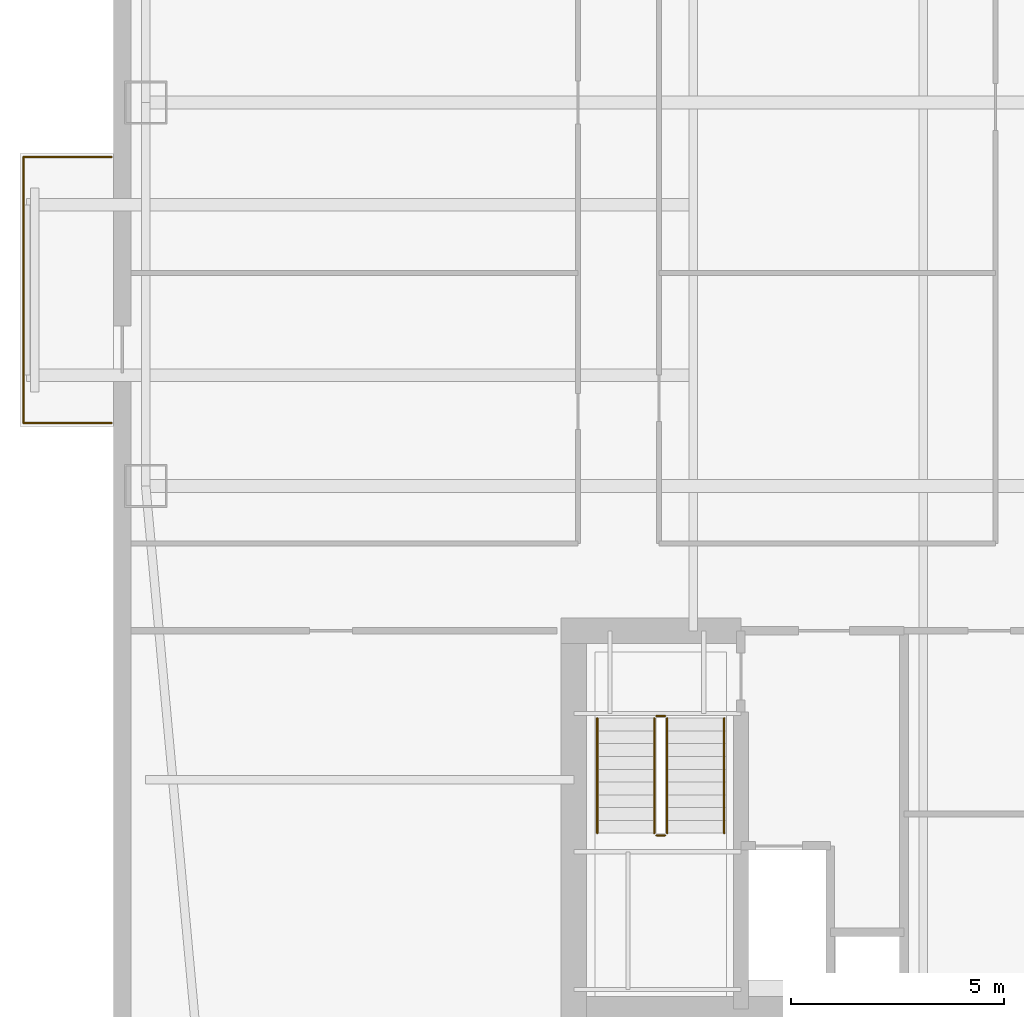
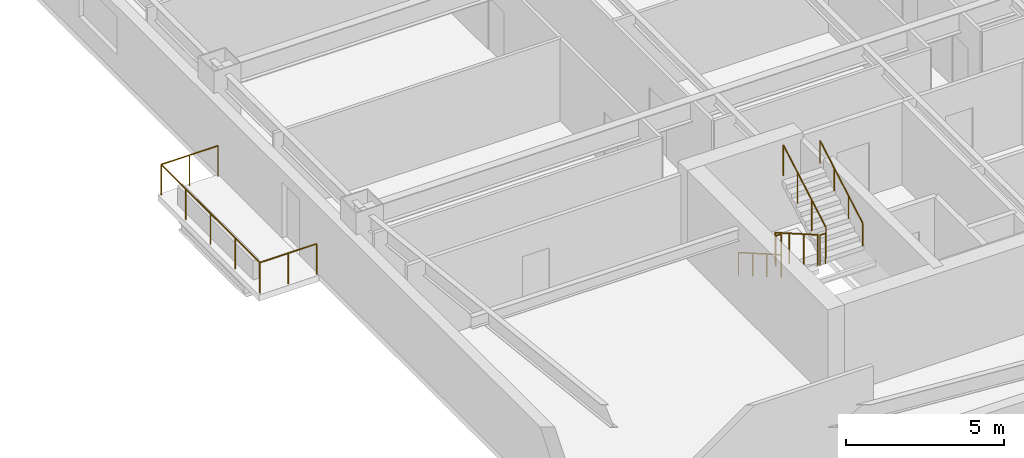
# One storey, part 11 of 14: 7 railings.
"""IFC4 building model written with IfcOpenShell, lengths in metres."""

from ifc_helpers import new_model, si_unit, direction, frame, origin, origin_2d, place, context, subcontext, project, spatial, circle, extrude, material, type_object, element, save


model = new_model("IFC4")

# Units and contexts
model_context = context("Model", 3, precision=1e-05, world=origin(), true_north=direction((0.0, 1.0)))
body_context = subcontext(model_context, "Body", "Model", "MODEL_VIEW")
ifc_project = project(units=[si_unit("LENGTHUNIT", "METRE"), si_unit("AREAUNIT", "SQUARE_METRE"), si_unit("VOLUMEUNIT", "CUBIC_METRE"), si_unit("PLANEANGLEUNIT", "RADIAN"), si_unit("MASSUNIT", "GRAM", prefix="KILO")], contexts=[model_context])

# Site, building, storey
site_placement = place(None, origin())
site = spatial("IfcSite", under=ifc_project, at=site_placement, CompositionType="ELEMENT")
building_placement = place(site_placement, origin())
building = spatial("IfcBuilding", under=site, at=building_placement, Name="Qiaolan Cultural Towers", CompositionType="ELEMENT")
storey_placement = place(building_placement, frame((0.0, 0.0, 124.199951171875)))
storey = spatial("IfcBuildingStorey", under=building, at=storey_placement, Name="L32", CompositionType="ELEMENT", Elevation=124.199951171875)

# Railings
ifc_material_1 = material(Name="Laminated SentryGlas & Stainless Steel S31608 Balustrade", Category="steel")
railing_type_1 = type_object("IfcRailingType", Name="GRD-TERR-1200", PredefinedType="BALUSTRADE", material=ifc_material_1)
railing_1_placement = place(storey_placement, frame((10.949951171875, 26.47998046875, 0.0)))
element("IfcRailing", 1, at=railing_1_placement, inside=storey, type_object=railing_type_1, Name="L32 T1 Tree Balcony Guardrail W", PredefinedType="BALUSTRADE", context=body_context, shape_type="SweptSolid", body=[
    extrude(circle(Radius=0.02392578125, at=origin_2d()), frame((0.0, 0.0, 1.17578125), z_axis=(-1.0, 0.0, 0.0), x_axis=(0.0, -1.0, 0.0)), (0.0, 0.0, 1.0), 2.070068359375),
    extrude(circle(Radius=0.02392578125, at=origin_2d()), frame((-2.070068359375, 0.0, 1.17578125), z_axis=(0.0, 1.0, 0.0), x_axis=(-1.0, 0.0, 0.0)), (0.0, 0.0, 1.0), 6.239990234375),
    extrude(circle(Radius=0.02392578125, at=origin_2d()), frame((-2.070068359375, 6.239990234375, 1.17578125), z_axis=(1.0, 0.0, 0.0), x_axis=(0.0, 1.0, 0.0)), (0.0, 0.0, 1.0), 2.070068359375),
    extrude(circle(Radius=0.02099609375, at=origin_2d()), origin(), (0.0, 0.0, 1.0), 1.15185546875),
    extrude(circle(Radius=0.02099609375, at=origin_2d()), frame((-1.03515625, 0.0, 0.0)), (0.0, 0.0, 1.0), 1.15185546875),
    extrude(circle(Radius=0.02099609375, at=origin_2d()), frame((-2.070068359375, 0.0, 0.0)), (0.0, 0.0, 1.0), 1.15185546875),
    extrude(circle(Radius=0.02099609375, at=origin_2d()), frame((-2.070068359375, 1.56005859375, 0.0)), (0.0, 0.0, 1.0), 1.15185546875),
    extrude(circle(Radius=0.02099609375, at=origin_2d()), frame((-2.070068359375, 3.1201171875, 0.0)), (0.0, 0.0, 1.0), 1.15185546875),
    extrude(circle(Radius=0.02099609375, at=origin_2d()), frame((-2.070068359375, 4.679931640625, 0.0)), (0.0, 0.0, 1.0), 1.15185546875),
    extrude(circle(Radius=0.02099609375, at=origin_2d()), frame((-2.070068359375, 6.239990234375, 0.0)), (0.0, 0.0, 1.0), 1.15185546875),
    extrude(circle(Radius=0.02099609375, at=origin_2d()), frame((-1.03515625, 6.239990234375, 0.0)), (0.0, 0.0, 1.0), 1.15185546875),
    extrude(circle(Radius=0.02099609375, at=origin_2d()), frame((0.0, 6.239990234375, 0.0)), (0.0, 0.0, 1.0), 1.15185546875),
])
ifc_material_2 = material(Name="Galvanized Painted Steel Stair Guardrail", Category="steel")
railing_type_2 = type_object("IfcRailingType", Name="RL-STAIR-GRD", PredefinedType="GUARDRAIL", material=ifc_material_2)
railing_2_placement = place(storey_placement, frame((23.68994140625, 19.550048828125, 0.172607421875)))
element("IfcRailing", 2, at=railing_2_placement, inside=storey, type_object=railing_type_2, Name="L32 ST-W1 stair guard 1", PredefinedType="GUARDRAIL", context=body_context, shape_type="SweptSolid", body=[
    extrude(circle(Radius=0.02392578125, at=origin_2d()), frame((0.0, 0.0, 1.17578125), z_axis=(0.0, -0.866903762492, 0.498475542607), x_axis=(1.0, 0.0, 0.0)), (0.0, 0.0, 1.0), 3.114501953125),
    extrude(circle(Radius=0.02099609375, at=origin_2d()), origin(), (0.0, 0.0, 1.0), 1.15185546875),
    extrude(circle(Radius=0.02099609375, at=origin_2d()), frame((0.0, -0.89990234375, 0.517578125)), (0.0, 0.0, 1.0), 1.15185546875),
    extrude(circle(Radius=0.02099609375, at=origin_2d()), frame((0.0, -1.800048828125, 1.034912109375)), (0.0, 0.0, 1.0), 1.15185546875),
    extrude(circle(Radius=0.02099609375, at=origin_2d()), frame((0.0, -2.699951171875, 1.552490234375)), (0.0, 0.0, 1.0), 1.15185546875),
])
railing_3_placement = place(storey_placement, frame((23.739990234375, 16.800048828125, 1.72509765625)))
element("IfcRailing", 3, at=railing_3_placement, inside=storey, type_object=railing_type_2, Name="L32 ST-W1 stair guard 2", PredefinedType="GUARDRAIL", context=body_context, shape_type="SweptSolid", body=[
    extrude(circle(Radius=0.02392578125, at=origin_2d()), frame((0.0, 0.0, 1.17578125), z_axis=(1.0, 0.0, 0.0), x_axis=(0.0, 1.0, 0.0)), (0.0, 0.0, 1.0), 0.199951171875),
    extrude(circle(Radius=0.02099609375, at=origin_2d()), origin(), (0.0, 0.0, 1.0), 1.15185546875),
    extrude(circle(Radius=0.02099609375, at=origin_2d()), frame((0.199951171875, 0.0, 0.0)), (0.0, 0.0, 1.0), 1.15185546875),
])
railing_4_placement = place(storey_placement, frame((23.989990234375, 16.85009765625, 1.8974609375)))
element("IfcRailing", 4, at=railing_4_placement, inside=storey, type_object=railing_type_2, Name="L32 ST-W1 stair guard 3", PredefinedType="GUARDRAIL", context=body_context, shape_type="SweptSolid", body=[
    extrude(circle(Radius=0.02392578125, at=origin_2d()), frame((0.0, 0.0, 1.17578125), z_axis=(0.0, 0.866903762492, 0.498475542607), x_axis=(-1.0, 0.0, 0.0)), (0.0, 0.0, 1.0), 3.114501953125),
    extrude(circle(Radius=0.02099609375, at=origin_2d()), origin(), (0.0, 0.0, 1.0), 1.15185546875),
    extrude(circle(Radius=0.02099609375, at=origin_2d()), frame((0.0, 0.89990234375, 0.517578125)), (0.0, 0.0, 1.0), 1.15185546875),
    extrude(circle(Radius=0.02099609375, at=origin_2d()), frame((0.0, 1.800048828125, 1.034912109375)), (0.0, 0.0, 1.0), 1.15185546875),
    extrude(circle(Radius=0.02099609375, at=origin_2d()), frame((0.0, 2.699951171875, 1.552490234375)), (0.0, 0.0, 1.0), 1.15185546875),
])
railing_5_placement = place(storey_placement, frame((23.739990234375, 19.60009765625, 0.0)))
element("IfcRailing", 5, at=railing_5_placement, inside=storey, type_object=railing_type_2, Name="L32 ST-W1 stair guard 4", PredefinedType="GUARDRAIL", context=body_context, shape_type="SweptSolid", body=[
    extrude(circle(Radius=0.02392578125, at=origin_2d()), frame((0.0, 0.0, 1.17578125), z_axis=(1.0, 0.0, 0.0), x_axis=(0.0, 1.0, 0.0)), (0.0, 0.0, 1.0), 0.199951171875),
    extrude(circle(Radius=0.02099609375, at=origin_2d()), origin(), (0.0, 0.0, 1.0), 1.15185546875),
    extrude(circle(Radius=0.02099609375, at=origin_2d()), frame((0.199951171875, 0.0, 0.0)), (0.0, 0.0, 1.0), 1.15185546875),
])
ifc_material_3 = material(Name="Stainless Steel S30408 Tubular Handrail", Category="steel")
railing_type_3 = type_object("IfcRailingType", Name="RL-STAIR-HR", PredefinedType="HANDRAIL", material=ifc_material_3)
railing_6_placement = place(storey_placement, frame((22.35009765625, 19.550048828125, 0.172607421875)))
element("IfcRailing", 6, at=railing_6_placement, inside=storey, type_object=railing_type_3, Name="L32 ST-W1 stair handrail 1", PredefinedType="HANDRAIL", context=body_context, shape_type="SweptSolid", body=[
    extrude(circle(Radius=0.02392578125, at=origin_2d()), frame((0.0, 0.0, 0.8759765625), z_axis=(0.0, -0.866903762492, 0.498475542607), x_axis=(1.0, 0.0, 0.0)), (0.0, 0.0, 1.0), 3.114501953125),
    extrude(circle(Radius=0.02099609375, at=origin_2d()), origin(), (0.0, 0.0, 1.0), 0.851806640625),
    extrude(circle(Radius=0.02099609375, at=origin_2d()), frame((0.0, -0.89990234375, 0.517578125)), (0.0, 0.0, 1.0), 0.851806640625),
    extrude(circle(Radius=0.02099609375, at=origin_2d()), frame((0.0, -1.800048828125, 1.034912109375)), (0.0, 0.0, 1.0), 0.851806640625),
    extrude(circle(Radius=0.02099609375, at=origin_2d()), frame((0.0, -2.699951171875, 1.552490234375)), (0.0, 0.0, 1.0), 0.851806640625),
])
railing_7_placement = place(storey_placement, frame((25.330078125, 16.85009765625, 1.8974609375)))
element("IfcRailing", 7, at=railing_7_placement, inside=storey, type_object=railing_type_3, Name="L32 ST-W1 stair handrail 2", PredefinedType="HANDRAIL", context=body_context, shape_type="SweptSolid", body=[
    extrude(circle(Radius=0.02392578125, at=origin_2d()), frame((0.0, 0.0, 0.8759765625), z_axis=(0.0, 0.866903762492, 0.498475542607), x_axis=(-1.0, 0.0, 0.0)), (0.0, 0.0, 1.0), 3.114501953125),
    extrude(circle(Radius=0.02099609375, at=origin_2d()), origin(), (0.0, 0.0, 1.0), 0.851806640625),
    extrude(circle(Radius=0.02099609375, at=origin_2d()), frame((0.0, 0.89990234375, 0.517578125)), (0.0, 0.0, 1.0), 0.851806640625),
    extrude(circle(Radius=0.02099609375, at=origin_2d()), frame((0.0, 1.800048828125, 1.034912109375)), (0.0, 0.0, 1.0), 0.851806640625),
    extrude(circle(Radius=0.02099609375, at=origin_2d()), frame((0.0, 2.699951171875, 1.552490234375)), (0.0, 0.0, 1.0), 0.851806640625),
])

save(model, "model.ifc")
